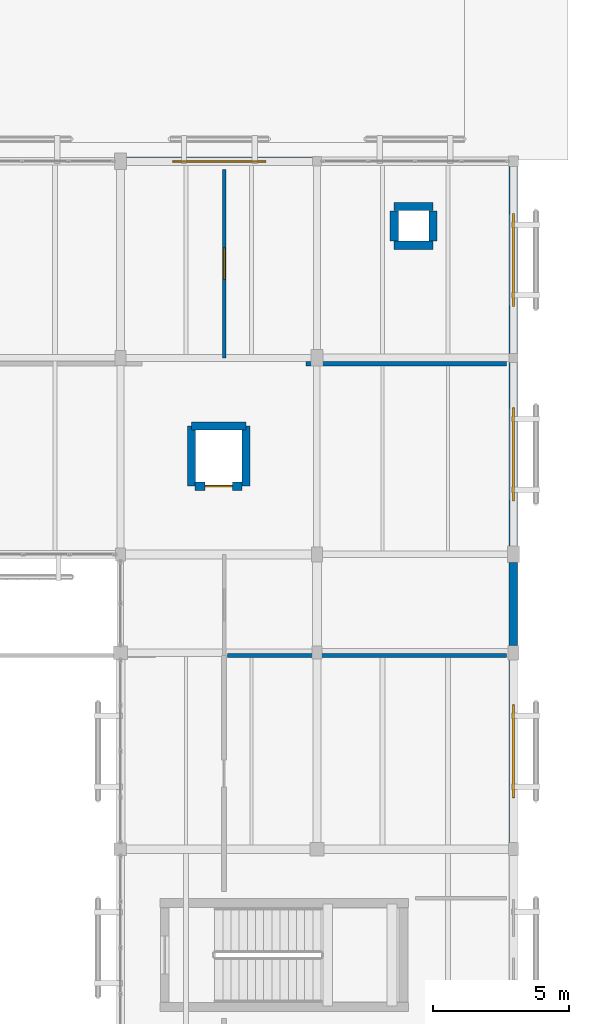
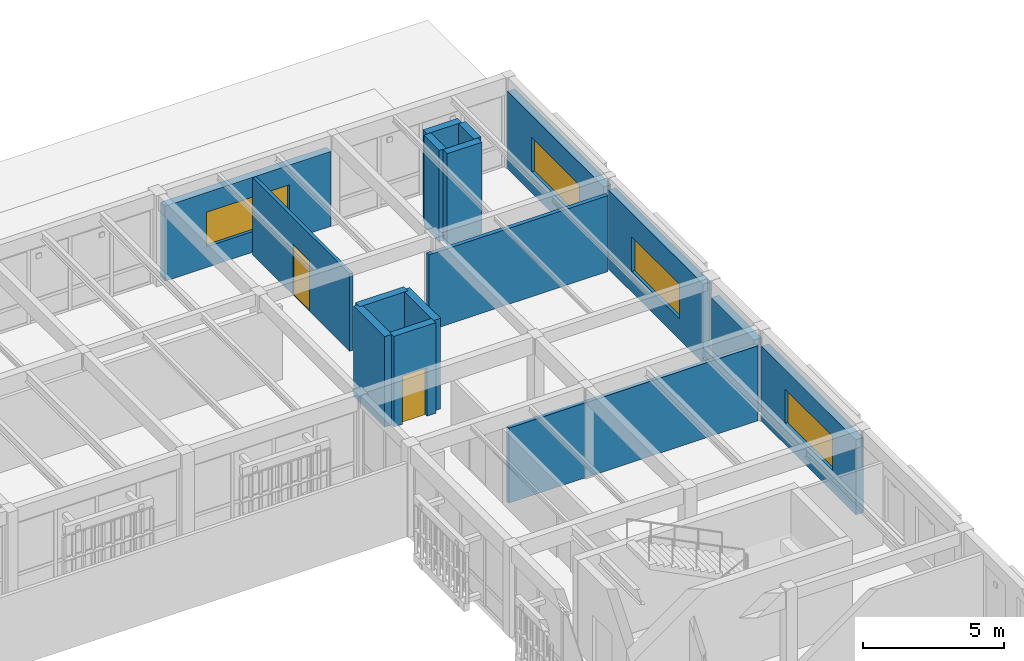
# One storey, part 90 of 112: 16 walls, 4 windows, 2 doors, 6 openings.
"""IFC4 building model written with IfcOpenShell, lengths in metres."""

from ifc_helpers import new_model, si_unit, direction, frame, frame_2d, origin, place, context, subcontext, project, spatial, rectangle, extrude, material, layer, layer_set, type_object, element, fill, save


model = new_model("IFC4")

# Units and contexts
model_context = context("Model", 3, precision=1e-05, world=origin(), true_north=direction((0.0, 1.0)))
body_context = subcontext(model_context, "Body", "Model", "MODEL_VIEW")
ifc_project = project(units=[si_unit("LENGTHUNIT", "METRE"), si_unit("AREAUNIT", "SQUARE_METRE"), si_unit("VOLUMEUNIT", "CUBIC_METRE"), si_unit("PLANEANGLEUNIT", "RADIAN"), si_unit("MASSUNIT", "GRAM", prefix="KILO")], contexts=[model_context])

# Site, building, storey
site_placement = place(None, origin())
site = spatial("IfcSite", under=ifc_project, at=site_placement, CompositionType="ELEMENT")
building_placement = place(site_placement, origin())
building = spatial("IfcBuilding", under=site, at=building_placement, Name="Mazaris Harbour Polytechnic", CompositionType="ELEMENT")
storey_placement = place(building_placement, frame((0.0, 0.0, 13.800048828125)))
storey = spatial("IfcBuildingStorey", under=building, at=storey_placement, Name="L03", CompositionType="ELEMENT", Elevation=13.800048828125)

# Walls
ifc_material_1 = material(Name="Double Gypsum and Mineral Wool")
ifc_layer_1 = layer(ifc_material_1, 0.14990234375, Name="Double Gypsum and Mineral Wool")
ifc_layer_set_1 = layer_set([ifc_layer_1], Name="Double Gypsum and Mineral Wool")
wall_type_1 = type_object("IfcWallType", Name="Classroom Acoustic Partition 150", PredefinedType="PARTITIONING", material=ifc_layer_set_1)
wall_1_placement = place(storey_placement, frame((162.320068359375, 82.699951171875, 0.0), z_axis=(0.0, 0.0, 1.0), x_axis=(1.0, 0.0, 0.0)))
element("IfcWall", 1, at=wall_1_placement, inside=storey, type_object=wall_type_1, Name="V5 L03 Partition 659", PredefinedType="PARTITIONING", context=body_context, shape_type="SweptSolid", body=[
    extrude(rectangle(XDim=10.22998046875, YDim=0.14990234375, at=frame_2d((5.114990234375, 0.0))), origin(), (0.0, 0.0, 1.0), 3.2548828125),
])
ifc_material_2 = material(Name="Fireboard and Mineral Wool")
ifc_layer_2 = layer(ifc_material_2, 0.1650390625, Name="Fireboard and Mineral Wool")
ifc_layer_set_2 = layer_set([ifc_layer_2], Name="Fireboard and Mineral Wool")
wall_type_2 = type_object("IfcWallType", Name="Laboratory Rated Partition 165", PredefinedType="PARTITIONING", material=ifc_layer_set_2)
wall_2_placement = place(storey_placement, frame((165.205078125, 93.3798828125, 0.0), z_axis=(0.0, 0.0, 1.0), x_axis=(1.0, 0.0, 0.0)))
element("IfcWall", 2, at=wall_2_placement, inside=storey, type_object=wall_type_2, Name="V5 L03 Partition 661", PredefinedType="PARTITIONING", context=body_context, shape_type="SweptSolid", body=[
    extrude(rectangle(XDim=7.344970703125, YDim=0.1650390625, at=frame_2d((3.67236328125, 0.0))), origin(), (0.0, 0.0, 1.0), 3.294921875),
])

# Wall, opening, window
ifc_material_3 = material(Name="Algerian Buff Limestone and Mineral Wool", Category="masonry")
ifc_layer_3 = layer(ifc_material_3, 0.31005859375, Name="Algerian Buff Limestone and Mineral Wool")
ifc_layer_set_3 = layer_set([ifc_layer_3], Name="Algerian Buff Limestone and Mineral Wool")
wall_type_3 = type_object("IfcWallType", Name="Limestone Studio Wall 310", PredefinedType="STANDARD", material=ifc_layer_set_3)
wall_3_placement = place(storey_placement, frame((158.612060546875, 100.800048828125, 0.0), z_axis=(0.0, 0.0, 1.0), x_axis=(1.0, 0.0, 0.0)))
wall_3 = element("IfcWall", 3, at=wall_3_placement, inside=storey, type_object=wall_type_3, Name="V5 L03 Exterior Wall 363", PredefinedType="STANDARD", context=body_context, shape_type="SweptSolid", body=[
    extrude(rectangle(XDim=6.825927734375, YDim=0.31005859375, at=frame_2d((3.4130859375, 0.0))), origin(), (0.0, 0.0, 1.0), 3.2548828125),
])
opening_1_placement = place(wall_3_placement, frame((1.712890625, 0.0, 0.89990234375)))
opening_1 = element("IfcOpeningElement", 4, at=opening_1_placement, cuts=wall_3, Name="Opening WN-16", PredefinedType="OPENING", context=body_context, shape_type="SweptSolid", body=[
    extrude(rectangle(XDim=3.39990234375, YDim=1.5, at=frame_2d((1.699951171875, 0.75))), frame((0.0, 0.1650390625, 0.0), z_axis=(0.0, -1.0, 0.0), x_axis=(1.0, 0.0, 0.0)), (0.0, 0.0, 1.0), 0.330078125),
])
ifc_material_4 = material(Name="Thermally Broken Bronze Aluminium and Low-E Glass", Category="aluminium")
window_type = type_object("IfcWindowType", Name="Workshop Clerestory Ribbon 3400x1500", PartitioningType="DOUBLE_PANEL_VERTICAL", PredefinedType="WINDOW", material=ifc_material_4)
window_1_placement = place(opening_1_placement, origin())
window_1 = element("IfcWindow", 5, at=window_1_placement, inside=storey, type_object=window_type, Name="WN-0421", OverallHeight=1.5, OverallWidth=3.39990234375, PartitioningType="DOUBLE_PANEL_VERTICAL", PredefinedType="WINDOW", context=body_context, shape_type="SweptSolid", body=[
    extrude(rectangle(XDim=3.39990234375, YDim=1.5, at=frame_2d((1.699951171875, 0.75))), frame((0.0, 0.030029296875, 0.0), z_axis=(0.0, -1.0, 0.0), x_axis=(1.0, 0.0, 0.0)), (0.0, 0.0, 1.0), 0.06005859375),
])
fill(opening_1, window_1)

wall_4_placement = place(storey_placement, frame((172.800048828125, 82.5380859375, 0.0), z_axis=(0.0, 0.0, 1.0), x_axis=(0.0, -1.0, 0.0)))
wall_4 = element("IfcWall", 6, at=wall_4_placement, inside=storey, type_object=wall_type_3, Name="V5 L03 Exterior Wall 372", PredefinedType="STANDARD", context=body_context, shape_type="SweptSolid", body=[
    extrude(rectangle(XDim=6.7060546875, YDim=0.31005859375, at=frame_2d((3.35302734375, 0.0))), origin(), (0.0, 0.0, 1.0), 3.2548828125),
])
opening_2_placement = place(wall_4_placement, frame((1.653076171875, 0.0, 0.89990234375)))
opening_2 = element("IfcOpeningElement", 7, at=opening_2_placement, cuts=wall_4, Name="Opening WN-16", PredefinedType="OPENING", context=body_context, shape_type="SweptSolid", body=[
    extrude(rectangle(XDim=3.39990234375, YDim=1.5, at=frame_2d((1.699951171875, 0.75))), frame((0.0, 0.1650390625, 0.0), z_axis=(0.0, -1.0, 0.0), x_axis=(1.0, 0.0, 0.0)), (0.0, 0.0, 1.0), 0.330078125),
])
window_2_placement = place(opening_2_placement, origin())
window_2 = element("IfcWindow", 8, at=window_2_placement, inside=storey, type_object=window_type, Name="WN-0435", OverallHeight=1.5, OverallWidth=3.39990234375, PartitioningType="DOUBLE_PANEL_VERTICAL", PredefinedType="WINDOW", context=body_context, shape_type="SweptSolid", body=[
    extrude(rectangle(XDim=3.39990234375, YDim=1.5, at=frame_2d((1.699951171875, 0.75))), frame((0.0, 0.030029296875, 0.0), z_axis=(0.0, -1.0, 0.0), x_axis=(1.0, 0.0, 0.0)), (0.0, 0.0, 1.0), 0.06005859375),
])
fill(opening_2, window_2)

# Wall
wall_5_placement = place(storey_placement, frame((172.800048828125, 86.10791015625, 0.0), z_axis=(0.0, 0.0, 1.0), x_axis=(0.0, -1.0, 0.0)))
element("IfcWall", 9, at=wall_5_placement, inside=storey, type_object=wall_type_3, Name="V5 L03 Exterior Wall 373", PredefinedType="STANDARD", context=body_context, shape_type="SweptSolid", body=[
    extrude(rectangle(XDim=3.0458984375, YDim=0.31005859375, at=frame_2d((1.52294921875, 0.0))), origin(), (0.0, 0.0, 1.0), 3.195068359375),
])

# Wall, opening, window
wall_6_placement = place(storey_placement, frame((172.800048828125, 93.43798828125, 0.0), z_axis=(0.0, 0.0, 1.0), x_axis=(0.0, -1.0, 0.0)))
wall_6 = element("IfcWall", 10, at=wall_6_placement, inside=storey, type_object=wall_type_3, Name="V5 L03 Exterior Wall 374", PredefinedType="STANDARD", context=body_context, shape_type="SweptSolid", body=[
    extrude(rectangle(XDim=6.74609375, YDim=0.31005859375, at=frame_2d((3.373046875, 0.0))), origin(), (0.0, 0.0, 1.0), 3.4150390625),
])
opening_3_placement = place(wall_6_placement, frame((1.673095703125, 0.0, 0.89990234375)))
opening_3 = element("IfcOpeningElement", 11, at=opening_3_placement, cuts=wall_6, Name="Opening WN-16", PredefinedType="OPENING", context=body_context, shape_type="SweptSolid", body=[
    extrude(rectangle(XDim=3.39990234375, YDim=1.5, at=frame_2d((1.699951171875, 0.75))), frame((0.0, 0.1650390625, 0.0), z_axis=(0.0, -1.0, 0.0), x_axis=(1.0, 0.0, 0.0)), (0.0, 0.0, 1.0), 0.330078125),
])
window_3_placement = place(opening_3_placement, origin())
window_3 = element("IfcWindow", 12, at=window_3_placement, inside=storey, type_object=window_type, Name="WN-0436", OverallHeight=1.5, OverallWidth=3.39990234375, PartitioningType="DOUBLE_PANEL_VERTICAL", PredefinedType="WINDOW", context=body_context, shape_type="SweptSolid", body=[
    extrude(rectangle(XDim=3.39990234375, YDim=1.5, at=frame_2d((1.699951171875, 0.75))), frame((0.0, 0.030029296875, 0.0), z_axis=(0.0, -1.0, 0.0), x_axis=(1.0, 0.0, 0.0)), (0.0, 0.0, 1.0), 0.06005859375),
])
fill(opening_3, window_3)

wall_7_placement = place(storey_placement, frame((172.800048828125, 100.617919921875, 0.0), z_axis=(0.0, 0.0, 1.0), x_axis=(0.0, -1.0, 0.0)))
wall_7 = element("IfcWall", 13, at=wall_7_placement, inside=storey, type_object=wall_type_3, Name="V5 L03 Exterior Wall 375", PredefinedType="STANDARD", context=body_context, shape_type="SweptSolid", body=[
    extrude(rectangle(XDim=6.85595703125, YDim=0.31005859375, at=frame_2d((3.427978515625, 0.0))), origin(), (0.0, 0.0, 1.0), 3.35498046875),
])
opening_4_placement = place(wall_7_placement, frame((1.72802734375, 0.0, 0.89990234375)))
opening_4 = element("IfcOpeningElement", 14, at=opening_4_placement, cuts=wall_7, Name="Opening WN-16", PredefinedType="OPENING", context=body_context, shape_type="SweptSolid", body=[
    extrude(rectangle(XDim=3.39990234375, YDim=1.5, at=frame_2d((1.699951171875, 0.75))), frame((0.0, 0.1650390625, 0.0), z_axis=(0.0, -1.0, 0.0), x_axis=(1.0, 0.0, 0.0)), (0.0, 0.0, 1.0), 0.330078125),
])
window_4_placement = place(opening_4_placement, origin())
window_4 = element("IfcWindow", 15, at=window_4_placement, inside=storey, type_object=window_type, Name="WN-0437", OverallHeight=1.5, OverallWidth=3.39990234375, PartitioningType="DOUBLE_PANEL_VERTICAL", PredefinedType="WINDOW", context=body_context, shape_type="SweptSolid", body=[
    extrude(rectangle(XDim=3.39990234375, YDim=1.5, at=frame_2d((1.699951171875, 0.75))), frame((0.0, 0.030029296875, 0.0), z_axis=(0.0, -1.0, 0.0), x_axis=(1.0, 0.0, 0.0)), (0.0, 0.0, 1.0), 0.06005859375),
])
fill(opening_4, window_4)

# Walls
ifc_material_5 = material(Name="Concrete C40/50", Category="concrete")
ifc_layer_4 = layer(ifc_material_5, 0.300048828125, Name="Concrete C40/50")
ifc_layer_set_4 = layer_set([ifc_layer_4], Name="Concrete C40/50")
wall_type_4 = type_object("IfcWallType", Name="RC Lift Shaft Wall 300", PredefinedType="SHEAR", material=ifc_layer_set_4)
wall_8_placement = place(storey_placement, frame((168.429931640625, 97.72998046875, 0.0), z_axis=(0.0, 0.0, 1.0), x_axis=(1.0, 0.0, 0.0)))
element("IfcWall", 16, at=wall_8_placement, inside=storey, type_object=wall_type_4, Name="V5 L03 Riser Enclosure Wall 2-1", PredefinedType="SHEAR", context=body_context, shape_type="SweptSolid", body=[
    extrude(rectangle(XDim=1.420166015625, YDim=0.300048828125, at=frame_2d((0.7099609375, 0.0))), origin(), (0.0, 0.0, 1.0), 3.9599609375),
])
wall_9_placement = place(storey_placement, frame((169.85009765625, 97.889892578125, 0.0), z_axis=(0.0, 0.0, 1.0), x_axis=(0.0, 1.0, 0.0)))
element("IfcWall", 17, at=wall_9_placement, inside=storey, type_object=wall_type_4, Name="V5 L03 Riser Enclosure Wall 2-2", PredefinedType="SHEAR", context=body_context, shape_type="SweptSolid", body=[
    extrude(rectangle(XDim=1.10009765625, YDim=0.300048828125, at=frame_2d((0.550048828125, 0.0))), origin(), (0.0, 0.0, 1.0), 3.9599609375),
])
wall_10_placement = place(storey_placement, frame((169.85009765625, 99.14990234375, 0.0), z_axis=(0.0, 0.0, 1.0), x_axis=(-1.0, 0.0, 0.0)))
element("IfcWall", 18, at=wall_10_placement, inside=storey, type_object=wall_type_4, Name="V5 L03 Riser Enclosure Wall 2-3", PredefinedType="SHEAR", context=body_context, shape_type="SweptSolid", body=[
    extrude(rectangle(XDim=1.420166015625, YDim=0.300048828125, at=frame_2d((0.7099609375, 0.0))), origin(), (0.0, 0.0, 1.0), 3.9599609375),
])
wall_11_placement = place(storey_placement, frame((168.429931640625, 98.989990234375, 0.0), z_axis=(0.0, 0.0, 1.0), x_axis=(0.0, -1.0, 0.0)))
element("IfcWall", 19, at=wall_11_placement, inside=storey, type_object=wall_type_4, Name="V5 L03 Riser Enclosure Wall 2-4", PredefinedType="SHEAR", context=body_context, shape_type="SweptSolid", body=[
    extrude(rectangle(XDim=1.10009765625, YDim=0.300048828125, at=frame_2d((0.550048828125, 0.0))), origin(), (0.0, 0.0, 1.0), 3.9599609375),
])
wall_12_placement = place(storey_placement, frame((163.0, 91.10009765625, 0.0), z_axis=(0.0, 0.0, 1.0), x_axis=(-1.0, 0.0, 0.0)))
element("IfcWall", 20, at=wall_12_placement, inside=storey, type_object=wall_type_4, Name="Lift LP-04 L03 North Shaft Wall", PredefinedType="SHEAR", context=body_context, shape_type="SweptSolid", body=[
    extrude(rectangle(XDim=2.0, YDim=0.300048828125, at=frame_2d((1.0, 0.0))), origin(), (0.0, 0.0, 1.0), 3.93505859375),
])
for number, where, z_axis, x_axis, name in (
    (21, (161.0, 91.10009765625, 0.0), (0.0, 0.0, 1.0), (0.0, -1.0, 0.0), "Lift LP-04 L03 West Shaft Wall"),
    (22, (163.0, 88.89990234375, 0.0), (0.0, 0.0, 1.0), (0.0, 1.0, 0.0), "Lift LP-04 L03 East Shaft Wall"),
):
    element("IfcWall", number, at=place(storey_placement, frame(where, z_axis=z_axis, x_axis=x_axis)), inside=storey, type_object=wall_type_4, Name=name, PredefinedType="SHEAR", context=body_context, shape_type="SweptSolid", body=[
        extrude(rectangle(XDim=2.2001953125, YDim=0.300048828125, at=frame_2d((1.10009765625, 0.0))), origin(), (0.0, 0.0, 1.0), 3.93505859375),
    ])

# Wall, opening, door
wall_13_placement = place(storey_placement, frame((162.860107421875, 88.89990234375, 0.0), z_axis=(0.0, 0.0, 1.0), x_axis=(-1.0, 0.0, 0.0)))
wall_13 = element("IfcWall", 23, at=wall_13_placement, inside=storey, type_object=wall_type_4, Name="Lift LP-04 L03 Front Shaft Wall", PredefinedType="SHEAR", context=body_context, shape_type="SweptSolid", body=[
    extrude(rectangle(XDim=1.72021484375, YDim=0.300048828125, at=frame_2d((0.860107421875, 0.0))), origin(), (0.0, 0.0, 1.0), 3.93505859375),
])
opening_5_placement = place(wall_13_placement, frame((0.360107421875, 0.0, 0.0)))
opening_5 = element("IfcOpeningElement", 24, at=opening_5_placement, cuts=wall_13, Name="Opening LD-01", PredefinedType="OPENING", context=body_context, shape_type="SweptSolid", body=[
    extrude(rectangle(XDim=1.0, YDim=2.10009765625, at=frame_2d((0.5, 1.050048828125))), frame((0.0, 0.159912109375, 0.0), z_axis=(0.0, -1.0, 0.0), x_axis=(1.0, 0.0, 0.0)), (0.0, 0.0, 1.0), 0.320068359375),
])
ifc_material_6 = material(Name="Stainless Steel S355", Category="steel")
door_type_1 = type_object("IfcDoorType", Name="Sliding Passenger Lift Landing Door 1000x2100", OperationType="SLIDING_TO_LEFT", PredefinedType="DOOR", material=ifc_material_6)
door_1_placement = place(opening_5_placement, origin())
door_1 = element("IfcDoor", 25, at=door_1_placement, inside=storey, type_object=door_type_1, Name="LD-034", OperationType="SLIDING_TO_LEFT", OverallHeight=2.10009765625, OverallWidth=1.0, PredefinedType="DOOR", context=body_context, shape_type="SweptSolid", body=[
    extrude(rectangle(XDim=1.0, YDim=2.10009765625, at=frame_2d((0.5, 1.050048828125))), frame((0.0, 0.02490234375, 0.0), z_axis=(0.0, -1.0, 0.0), x_axis=(1.0, 0.0, 0.0)), (0.0, 0.0, 1.0), 0.050048828125),
])
fill(opening_5, door_1)

ifc_material_7 = material(Name="Gypsum Board and Mineral Wool")
ifc_layer_5 = layer(ifc_material_7, 0.135009765625, Name="Gypsum Board and Mineral Wool")
ifc_layer_set_5 = layer_set([ifc_layer_5], Name="Gypsum Board and Mineral Wool")
wall_type_5 = type_object("IfcWallType", Name="Studio Partition Wall 135", PredefinedType="PARTITIONING", material=ifc_layer_set_5)
wall_14_placement = place(storey_placement, frame((162.199951171875, 93.60498046875, 0.0), z_axis=(0.0, 0.0, 1.0), x_axis=(0.0, 1.0, 0.0)))
wall_14 = element("IfcWall", 26, at=wall_14_placement, inside=storey, type_object=wall_type_5, Name="V5 L03 Partition 662", PredefinedType="PARTITIONING", context=body_context, shape_type="SweptSolid", body=[
    extrude(rectangle(XDim=6.89501953125, YDim=0.135009765625, at=frame_2d((3.447509765625, 0.0))), origin(), (0.0, 0.0, 1.0), 3.35498046875),
])
opening_6_placement = place(wall_14_placement, frame((2.87255859375, 0.0, 0.0)))
opening_6 = element("IfcOpeningElement", 27, at=opening_6_placement, cuts=wall_14, Name="Opening ID-03L", PredefinedType="OPENING", context=body_context, shape_type="SweptSolid", body=[
    extrude(rectangle(XDim=1.14990234375, YDim=2.199951171875, at=frame_2d((0.574951171875, 1.10009765625))), frame((0.0, 0.077392578125, 0.0), z_axis=(0.0, -1.0, 0.0), x_axis=(1.0, 0.0, 0.0)), (0.0, 0.0, 1.0), 0.155029296875),
])
ifc_material_8 = material(Name="Glulam Timber and Acoustic Glass", Category="wood")
door_type_2 = type_object("IfcDoorType", Name="Design Studio Door LH 1150x2200", OperationType="SINGLE_SWING_LEFT", PredefinedType="DOOR", material=ifc_material_8)
door_2_placement = place(opening_6_placement, origin())
door_2 = element("IfcDoor", 28, at=door_2_placement, inside=storey, type_object=door_type_2, Name="ID-0322", OperationType="SINGLE_SWING_LEFT", OverallHeight=2.199951171875, OverallWidth=1.14990234375, PredefinedType="DOOR", context=body_context, shape_type="SweptSolid", body=[
    extrude(rectangle(XDim=1.14990234375, YDim=2.199951171875, at=frame_2d((0.574951171875, 1.10009765625))), frame((0.0, 0.02490234375, 0.0), z_axis=(0.0, -1.0, 0.0), x_axis=(1.0, 0.0, 0.0)), (0.0, 0.0, 1.0), 0.050048828125),
])
fill(opening_6, door_2)

save(model, "model.ifc")
